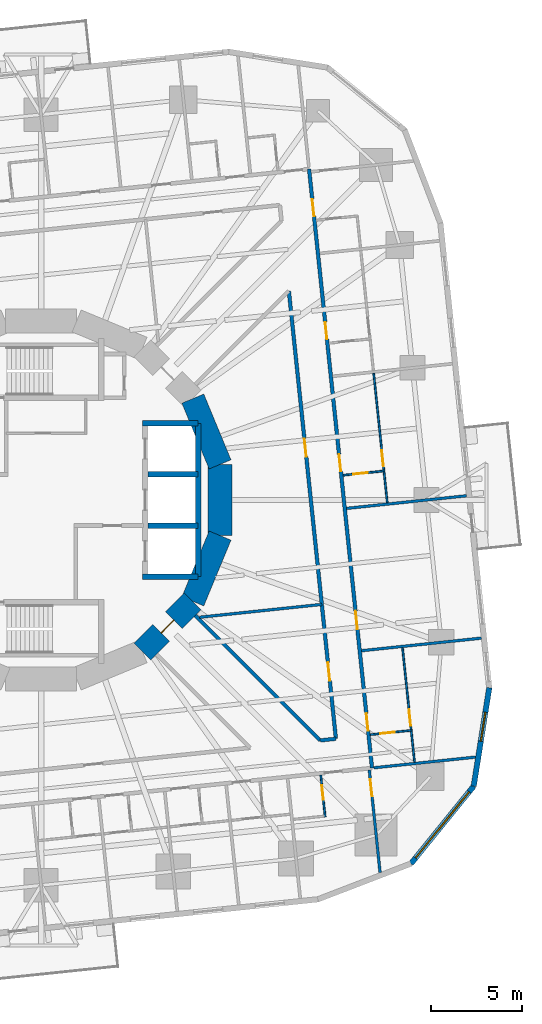
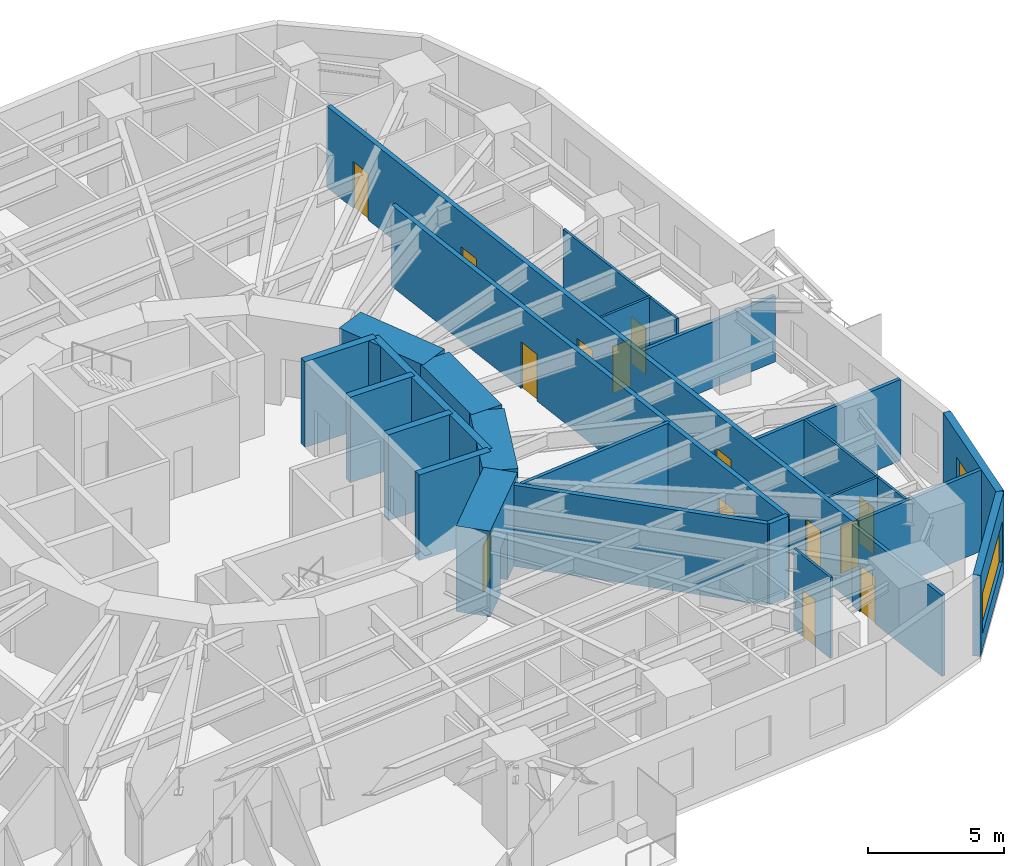
# One storey, part 8 of 13: 27 walls, 14 doors, 2 windows, 16 openings.
"""IFC4 building model written with IfcOpenShell, lengths in metres."""

from ifc_helpers import new_model, si_unit, direction, frame, frame_2d, origin, place, context, subcontext, project, spatial, rectangle, extrude, material, layer, layer_set, type_object, element, fill, save


model = new_model("IFC4")

# Units and contexts
model_context = context("Model", 3, precision=1e-05, world=origin(), true_north=direction((0.0, 1.0)))
body_context = subcontext(model_context, "Body", "Model", "MODEL_VIEW")
ifc_project = project(units=[si_unit("LENGTHUNIT", "METRE"), si_unit("AREAUNIT", "SQUARE_METRE"), si_unit("VOLUMEUNIT", "CUBIC_METRE"), si_unit("PLANEANGLEUNIT", "RADIAN"), si_unit("MASSUNIT", "GRAM", prefix="KILO")], contexts=[model_context])

# Site, building, storey
site_placement = place(None, origin())
site = spatial("IfcSite", under=ifc_project, at=site_placement, CompositionType="ELEMENT")
building_placement = place(site_placement, origin())
building = spatial("IfcBuilding", under=site, at=building_placement, Name="Nakasero Lantern House", CompositionType="ELEMENT")
storey_placement = place(building_placement, frame((0.0, 0.0, 83.60009765625)))
storey = spatial("IfcBuildingStorey", under=building, at=storey_placement, Name="L20", CompositionType="ELEMENT", Elevation=83.60009765625)

# Walls
ifc_material_1 = material(Name="Concrete C50/60", Category="concrete")
ifc_layer_1 = layer(ifc_material_1, 0.300048828125)
ifc_layer_set_1 = layer_set([ifc_layer_1], Name="Core inner wall 300")
wall_type_1 = type_object("IfcWallType", Name="Core inner wall 300", PredefinedType="SHEAR", material=ifc_layer_set_1)
for number, where, z_axis, x_axis, name in (
    (1, (5.550048828125, 4.199951171875, 0.0), (0.0, 0.0, 1.0), (1.0, 0.0, 0.0), "Core inner wall L20 LEN"),
    (2, (5.550048828125, -4.199951171875, 0.0), (0.0, 0.0, 1.0), (1.0, 0.0, 0.0), "Core inner wall L20 LES"),
):
    element("IfcWall", number, at=place(storey_placement, frame(where, z_axis=z_axis, x_axis=x_axis)), inside=storey, type_object=wall_type_1, Name=name, PredefinedType="SHEAR", context=body_context, shape_type="SweptSolid", body=[
        extrude(rectangle(XDim=3.050048828125, YDim=0.300048828125, at=frame_2d((1.52490234375, 0.0))), origin(), (0.0, 0.0, 1.0), 3.849853515625),
    ])
wall_1_placement = place(storey_placement, frame((8.60009765625, -4.199951171875, 0.0), z_axis=(0.0, 0.0, 1.0), x_axis=(0.0, 1.0, 0.0)))
element("IfcWall", 3, at=wall_1_placement, inside=storey, type_object=wall_type_1, Name="Core inner wall L20 LEB", PredefinedType="SHEAR", context=body_context, shape_type="SweptSolid", body=[
    extrude(rectangle(XDim=8.39990234375, YDim=0.300048828125, at=frame_2d((4.199951171875, 0.0))), origin(), (0.0, 0.0, 1.0), 3.849853515625),
])
for number, where, z_axis, x_axis, name in (
    (4, (5.85009765625, -1.39990234375, 0.0), (0.0, 0.0, 1.0), (1.0, 0.0, 0.0), "Core inner wall L20 LE1"),
    (5, (5.85009765625, 1.39990234375, 0.0), (0.0, 0.0, 1.0), (1.0, 0.0, 0.0), "Core inner wall L20 LE2"),
):
    element("IfcWall", number, at=place(storey_placement, frame(where, z_axis=z_axis, x_axis=x_axis)), inside=storey, type_object=wall_type_1, Name=name, PredefinedType="SHEAR", context=body_context, shape_type="SweptSolid", body=[
        extrude(rectangle(XDim=2.75, YDim=0.300048828125, at=frame_2d((1.375, 0.0))), origin(), (0.0, 0.0, 1.0), 3.849853515625),
    ])
ifc_material_2 = material(Name="Concrete C50/60", Category="concrete")
ifc_layer_2 = layer(ifc_material_2, 1.300048828125)
ifc_layer_set_2 = layer_set([ifc_layer_2], Name="Core wall 1300")
wall_type_2 = type_object("IfcWallType", Name="Core wall 1300", PredefinedType="SHEAR", material=ifc_layer_set_2)
wall_2_placement = place(storey_placement, frame((9.807861328125, 1.950927734375, 0.0), z_axis=(0.0, 0.0, 1.0), x_axis=(-0.382690736062, 0.923876507187, 0.0)))
element("IfcWall", 6, at=wall_2_placement, inside=storey, type_object=wall_type_2, Name="Core wall L20 facet 1", PredefinedType="SHEAR", context=body_context, shape_type="SweptSolid", body=[
    extrude(rectangle(XDim=3.90185546875, YDim=1.300048828125, at=frame_2d((1.950927734375, 0.0))), origin(), (0.0, 0.0, 1.0), 3.849853515625),
])

# Wall, opening, door
wall_3_placement = place(storey_placement, frame((5.5556640625, -8.314697265625, 0.0), z_axis=(0.0, 0.0, 1.0), x_axis=(0.707106781187, 0.707106781187, 0.0)))
wall_3 = element("IfcWall", 7, at=wall_3_placement, inside=storey, type_object=wall_type_2, Name="Core wall L20 facet 14", PredefinedType="SHEAR", context=body_context, shape_type="SweptSolid", body=[
    extrude(rectangle(XDim=3.90185546875, YDim=1.300048828125, at=frame_2d((1.950927734375, 0.0))), origin(), (0.0, 0.0, 1.0), 3.849853515625),
])
opening_1_placement = place(wall_3_placement, frame((1.450927734375, 0.0, 0.0)))
opening_1 = element("IfcOpeningElement", 8, at=opening_1_placement, cuts=wall_3, Name="Opening D05", PredefinedType="OPENING", context=body_context, shape_type="SweptSolid", body=[
    extrude(rectangle(XDim=1.0, YDim=2.10009765625, at=frame_2d((0.5, 1.050048828125))), frame((0.0, 0.669921875, 0.0), z_axis=(0.0, -1.0, 0.0), x_axis=(1.0, 0.0, 0.0)), (0.0, 0.0, 1.0), 1.340087890625),
])
ifc_material_3 = material(Name="Timber C24", Category="wood")
door_type_1 = type_object("IfcDoorType", Name="Core door FD60S 1000", OperationType="SINGLE_SWING_LEFT", PredefinedType="DOOR", material=ifc_material_3)
door_1_placement = place(opening_1_placement, origin())
door_1 = element("IfcDoor", 9, at=door_1_placement, inside=storey, type_object=door_type_1, Name="Door L20 D-CORE14", OperationType="SINGLE_SWING_LEFT", OverallHeight=2.10009765625, OverallWidth=1.0, PredefinedType="DOOR", context=body_context, shape_type="SweptSolid", body=[
    extrude(rectangle(XDim=1.0, YDim=2.10009765625, at=frame_2d((0.5, 1.050048828125))), frame((0.0, 0.02490234375, 0.0), z_axis=(0.0, -1.0, 0.0), x_axis=(1.0, 0.0, 0.0)), (0.0, 0.0, 1.0), 0.050048828125),
])
fill(opening_1, door_1)

# Walls
for number, where, z_axis, x_axis, name in (
    (10, (8.314697265625, -5.5556640625, 0.0), (0.0, 0.0, 1.0), (0.382690736062, 0.923876507187, 0.0), "Core wall L20 facet 15"),
    (11, (9.807861328125, -1.950927734375, 0.0), (0.0, 0.0, 1.0), (0.0, 1.0, 0.0), "Core wall L20 facet 16"),
):
    element("IfcWall", number, at=place(storey_placement, frame(where, z_axis=z_axis, x_axis=x_axis)), inside=storey, type_object=wall_type_2, Name=name, PredefinedType="SHEAR", context=body_context, shape_type="SweptSolid", body=[
        extrude(rectangle(XDim=3.90185546875, YDim=1.300048828125, at=frame_2d((1.950927734375, 0.0))), origin(), (0.0, 0.0, 1.0), 3.849853515625),
    ])

# Wall, openings, doors
ifc_material_4 = material(Name="Blockwork", Category="masonry")
ifc_layer_3 = layer(ifc_material_4, 0.199951171875)
ifc_layer_set_3 = layer_set([ifc_layer_3], Name="Corridor wall 200")
wall_type_3 = type_object("IfcWallType", Name="Corridor wall 200", PredefinedType="PARTITIONING", material=ifc_layer_set_3)
wall_4_placement = place(storey_placement, frame((18.13427734375, -14.684814453125, 0.0), z_axis=(0.0, 0.0, 1.0), x_axis=(-0.10452958258, 0.994521777723, 0.0)))
wall_4 = element("IfcWall", 12, at=wall_4_placement, inside=storey, type_object=wall_type_3, Name="Corridor wall L20 CW0", PredefinedType="PARTITIONING", context=body_context, shape_type="SweptSolid", body=[
    extrude(rectangle(XDim=32.999755859375, YDim=0.199951171875, at=frame_2d((16.5, 0.0))), origin(), (0.0, 0.0, 1.0), 3.64990234375),
])
opening_2_placement = place(wall_4_placement, frame((2.050048828125, 0.0, 0.0)))
opening_2 = element("IfcOpeningElement", 13, at=opening_2_placement, cuts=wall_4, Name="Opening D01", PredefinedType="OPENING", context=body_context, shape_type="SweptSolid", body=[
    extrude(rectangle(XDim=0.949951171875, YDim=2.10009765625, at=frame_2d((0.47509765625, 1.050048828125))), frame((0.0, 0.119873046875, 0.0), z_axis=(0.0, -1.0, 0.0), x_axis=(1.0, 0.0, 0.0)), (0.0, 0.0, 1.0), 0.239990234375),
])
opening_3_placement = place(wall_4_placement, frame((16.3427734375, 0.0, 0.0)))
opening_3 = element("IfcOpeningElement", 14, at=opening_3_placement, cuts=wall_4, Name="Opening D01", PredefinedType="OPENING", context=body_context, shape_type="SweptSolid", body=[
    extrude(rectangle(XDim=0.949951171875, YDim=2.10009765625, at=frame_2d((0.47509765625, 1.050048828125))), frame((0.0, 0.119873046875, 0.0), z_axis=(0.0, -1.0, 0.0), x_axis=(1.0, 0.0, 0.0)), (0.0, 0.0, 1.0), 0.239990234375),
])
opening_4_placement = place(wall_4_placement, frame((23.6201171875, 0.0, 0.0)))
opening_4 = element("IfcOpeningElement", 15, at=opening_4_placement, cuts=wall_4, Name="Opening D01", PredefinedType="OPENING", context=body_context, shape_type="SweptSolid", body=[
    extrude(rectangle(XDim=0.949951171875, YDim=2.10009765625, at=frame_2d((0.47509765625, 1.050048828125))), frame((0.0, 0.119873046875, 0.0), z_axis=(0.0, -1.0, 0.0), x_axis=(1.0, 0.0, 0.0)), (0.0, 0.0, 1.0), 0.239990234375),
])
opening_5_placement = place(wall_4_placement, frame((30.39111328125, 0.0, 0.0)))
opening_5 = element("IfcOpeningElement", 16, at=opening_5_placement, cuts=wall_4, Name="Opening D01", PredefinedType="OPENING", context=body_context, shape_type="SweptSolid", body=[
    extrude(rectangle(XDim=0.949951171875, YDim=2.10009765625, at=frame_2d((0.47509765625, 1.050048828125))), frame((0.0, 0.119873046875, 0.0), z_axis=(0.0, -1.0, 0.0), x_axis=(1.0, 0.0, 0.0)), (0.0, 0.0, 1.0), 0.239990234375),
])
opening_6_placement = place(wall_4_placement, frame((7.650634765625, 0.0, 0.0)))
opening_6 = element("IfcOpeningElement", 17, at=opening_6_placement, cuts=wall_4, Name="Opening D03", PredefinedType="OPENING", context=body_context, shape_type="SweptSolid", body=[
    extrude(rectangle(XDim=1.0, YDim=2.10009765625, at=frame_2d((0.5, 1.050048828125))), frame((0.0, 0.119873046875, 0.0), z_axis=(0.0, -1.0, 0.0), x_axis=(1.0, 0.0, 0.0)), (0.0, 0.0, 1.0), 0.239990234375),
])
ifc_material_5 = material(Name="Timber C24", Category="wood")
door_type_2 = type_object("IfcDoorType", Name="Bedroom door FD30S 950", OperationType="SINGLE_SWING_LEFT", PredefinedType="DOOR", material=ifc_material_5)
door_2_placement = place(opening_2_placement, origin())
door_2 = element("IfcDoor", 18, at=door_2_placement, inside=storey, type_object=door_type_2, Name="Door L20 D0-00", OperationType="SINGLE_SWING_LEFT", OverallHeight=2.10009765625, OverallWidth=0.949951171875, PredefinedType="DOOR", context=body_context, shape_type="SweptSolid", body=[
    extrude(rectangle(XDim=0.949951171875, YDim=2.10009765625, at=frame_2d((0.47509765625, 1.050048828125))), frame((0.0, 0.02490234375, 0.0), z_axis=(0.0, -1.0, 0.0), x_axis=(1.0, 0.0, 0.0)), (0.0, 0.0, 1.0), 0.050048828125),
])
fill(opening_2, door_2)
door_3_placement = place(opening_3_placement, origin())
door_3 = element("IfcDoor", 19, at=door_3_placement, inside=storey, type_object=door_type_2, Name="Door L20 D0-04", OperationType="SINGLE_SWING_RIGHT", OverallHeight=2.10009765625, OverallWidth=0.949951171875, PredefinedType="DOOR", context=body_context, shape_type="SweptSolid", body=[
    extrude(rectangle(XDim=0.949951171875, YDim=2.10009765625, at=frame_2d((0.47509765625, 1.050048828125))), frame((0.0, 0.02490234375, 0.0), z_axis=(0.0, -1.0, 0.0), x_axis=(1.0, 0.0, 0.0)), (0.0, 0.0, 1.0), 0.050048828125),
])
fill(opening_3, door_3)
door_4_placement = place(opening_4_placement, origin())
door_4 = element("IfcDoor", 20, at=door_4_placement, inside=storey, type_object=door_type_2, Name="Door L20 D0-06", OperationType="SINGLE_SWING_RIGHT", OverallHeight=2.10009765625, OverallWidth=0.949951171875, PredefinedType="DOOR", context=body_context, shape_type="SweptSolid", body=[
    extrude(rectangle(XDim=0.949951171875, YDim=2.10009765625, at=frame_2d((0.47509765625, 1.050048828125))), frame((0.0, 0.02490234375, 0.0), z_axis=(0.0, -1.0, 0.0), x_axis=(1.0, 0.0, 0.0)), (0.0, 0.0, 1.0), 0.050048828125),
])
fill(opening_4, door_4)
door_5_placement = place(opening_5_placement, origin())
door_5 = element("IfcDoor", 21, at=door_5_placement, inside=storey, type_object=door_type_2, Name="Door L20 D0-08", OperationType="SINGLE_SWING_RIGHT", OverallHeight=2.10009765625, OverallWidth=0.949951171875, PredefinedType="DOOR", context=body_context, shape_type="SweptSolid", body=[
    extrude(rectangle(XDim=0.949951171875, YDim=2.10009765625, at=frame_2d((0.47509765625, 1.050048828125))), frame((0.0, 0.02490234375, 0.0), z_axis=(0.0, -1.0, 0.0), x_axis=(1.0, 0.0, 0.0)), (0.0, 0.0, 1.0), 0.050048828125),
])
fill(opening_5, door_5)
ifc_material_6 = material(Name="Timber C24", Category="wood")
door_type_3 = type_object("IfcDoorType", Name="Lounge door FD30S 1000", OperationType="SINGLE_SWING_LEFT", PredefinedType="DOOR", material=ifc_material_6)
door_6_placement = place(opening_6_placement, origin())
door_6 = element("IfcDoor", 22, at=door_6_placement, inside=storey, type_object=door_type_3, Name="Door L20 DK0", OperationType="SINGLE_SWING_LEFT", OverallHeight=2.10009765625, OverallWidth=1.0, PredefinedType="DOOR", context=body_context, shape_type="SweptSolid", body=[
    extrude(rectangle(XDim=1.0, YDim=2.10009765625, at=frame_2d((0.5, 1.050048828125))), frame((0.0, 0.02490234375, 0.0), z_axis=(0.0, -1.0, 0.0), x_axis=(1.0, 0.0, 0.0)), (0.0, 0.0, 1.0), 0.050048828125),
])
fill(opening_6, door_6)

wall_5_placement = place(storey_placement, frame((16.156005859375, -13.0830078125, 0.0), z_axis=(0.0, 0.0, 1.0), x_axis=(-0.104528202096, 0.994521922819, 0.0)))
wall_5 = element("IfcWall", 23, at=wall_5_placement, inside=storey, type_object=wall_type_3, Name="Corridor wall L20 IW0-0", PredefinedType="PARTITIONING", context=body_context, shape_type="SweptSolid", body=[
    extrude(rectangle(XDim=24.673828125, YDim=0.199951171875, at=frame_2d((12.3369140625, 0.0))), origin(), (0.0, 0.0, 1.0), 3.64990234375),
])
opening_7_placement = place(wall_5_placement, frame((3.201171875, 0.0, 0.0)))
opening_7 = element("IfcOpeningElement", 24, at=opening_7_placement, cuts=wall_5, Name="Opening D07", PredefinedType="OPENING", context=body_context, shape_type="SweptSolid", body=[
    extrude(rectangle(XDim=1.0, YDim=2.10009765625, at=frame_2d((0.5, 1.050048828125))), frame((0.0, 0.119873046875, 0.0), z_axis=(0.0, -1.0, 0.0), x_axis=(1.0, 0.0, 0.0)), (0.0, 0.0, 1.0), 0.239990234375),
])
opening_8_placement = place(wall_5_placement, frame((15.537841796875, 0.0, 0.0)))
opening_8 = element("IfcOpeningElement", 25, at=opening_8_placement, cuts=wall_5, Name="Opening D07", PredefinedType="OPENING", context=body_context, shape_type="SweptSolid", body=[
    extrude(rectangle(XDim=1.0, YDim=2.10009765625, at=frame_2d((0.5, 1.050048828125))), frame((0.0, 0.119873046875, 0.0), z_axis=(0.0, -1.0, 0.0), x_axis=(1.0, 0.0, 0.0)), (0.0, 0.0, 1.0), 0.239990234375),
])
ifc_material_7 = material(Name="Timber C24", Category="wood")
door_type_4 = type_object("IfcDoorType", Name="Room door FD30S 1000", OperationType="SINGLE_SWING_LEFT", PredefinedType="DOOR", material=ifc_material_7)
door_7_placement = place(opening_7_placement, origin())
door_7 = element("IfcDoor", 26, at=door_7_placement, inside=storey, type_object=door_type_4, Name="Door L20 DI1", OperationType="SINGLE_SWING_LEFT", OverallHeight=2.10009765625, OverallWidth=1.0, PredefinedType="DOOR", context=body_context, shape_type="SweptSolid", body=[
    extrude(rectangle(XDim=1.0, YDim=2.10009765625, at=frame_2d((0.5, 1.050048828125))), frame((0.0, 0.02490234375, 0.0), z_axis=(0.0, -1.0, 0.0), x_axis=(1.0, 0.0, 0.0)), (0.0, 0.0, 1.0), 0.050048828125),
])
fill(opening_7, door_7)
door_8_placement = place(opening_8_placement, origin())
door_8 = element("IfcDoor", 27, at=door_8_placement, inside=storey, type_object=door_type_4, Name="Door L20 DI1S", OperationType="SINGLE_SWING_RIGHT", OverallHeight=2.10009765625, OverallWidth=1.0, PredefinedType="DOOR", context=body_context, shape_type="SweptSolid", body=[
    extrude(rectangle(XDim=1.0, YDim=2.10009765625, at=frame_2d((0.5, 1.050048828125))), frame((0.0, 0.02490234375, 0.0), z_axis=(0.0, -1.0, 0.0), x_axis=(1.0, 0.0, 0.0)), (0.0, 0.0, 1.0), 0.050048828125),
])
fill(opening_8, door_8)

# Walls
wall_6_placement = place(storey_placement, frame((8.45556640625, -6.334228515625, 0.0), z_axis=(0.0, 0.0, 1.0), x_axis=(0.707106781187, -0.707106781187, 0.0)))
element("IfcWall", 28, at=wall_6_placement, inside=storey, type_object=wall_type_3, Name="Corridor wall L20 PS14a", PredefinedType="PARTITIONING", context=body_context, shape_type="SweptSolid", body=[
    extrude(rectangle(XDim=9.671875, YDim=0.199951171875, at=frame_2d((4.8359375, 0.0))), origin(), (0.0, 0.0, 1.0), 3.64990234375),
])
wall_7_placement = place(storey_placement, frame((16.156005859375, -13.0830078125, 0.0), z_axis=(0.0, 0.0, 1.0), x_axis=(-0.994545540927, -0.104303245505, 0.0)))
element("IfcWall", 29, at=wall_7_placement, inside=storey, type_object=wall_type_3, Name="Corridor wall L20 IW0-0R0", PredefinedType="PARTITIONING", context=body_context, shape_type="SweptSolid", body=[
    extrude(rectangle(XDim=0.865966796875, YDim=0.199951171875, at=frame_2d((0.43310546875, 0.0))), origin(), (0.0, 0.0, 1.0), 3.64990234375),
])

# Wall, opening, door
ifc_material_8 = material(Name="Blockwork", Category="masonry")
ifc_layer_4 = layer(ifc_material_8, 0.10009765625)
ifc_layer_set_4 = layer_set([ifc_layer_4], Name="En-suite wall 100")
wall_type_4 = type_object("IfcWallType", Name="En-suite wall 100", PredefinedType="PARTITIONING", material=ifc_layer_set_4)
wall_8_placement = place(storey_placement, frame((18.04296875, -12.859375, 0.0), z_axis=(0.0, 0.0, 1.0), x_axis=(0.994529855142, 0.104452703326, 0.0)))
wall_8 = element("IfcWall", 30, at=wall_8_placement, inside=storey, type_object=wall_type_4, Name="En-suite wall L20 ES0-00", PredefinedType="PARTITIONING", context=body_context, shape_type="SweptSolid", body=[
    extrude(rectangle(XDim=2.300048828125, YDim=0.10009765625, at=frame_2d((1.14990234375, 0.0))), origin(), (0.0, 0.0, 1.0), 3.64990234375),
])
opening_9_placement = place(wall_8_placement, frame((0.550048828125, 0.0, 0.0)))
opening_9 = element("IfcOpeningElement", 31, at=opening_9_placement, cuts=wall_8, Name="Opening D02", PredefinedType="OPENING", context=body_context, shape_type="SweptSolid", body=[
    extrude(rectangle(XDim=0.800048828125, YDim=2.10009765625, at=frame_2d((0.39990234375, 1.050048828125))), frame((0.0, 0.070068359375, 0.0), z_axis=(0.0, -1.0, 0.0), x_axis=(1.0, 0.0, 0.0)), (0.0, 0.0, 1.0), 0.14013671875),
])
ifc_material_9 = material(Name="Timber C24", Category="wood")
door_type_5 = type_object("IfcDoorType", Name="En-suite door 800", OperationType="SINGLE_SWING_RIGHT", PredefinedType="DOOR", material=ifc_material_9)
door_9_placement = place(opening_9_placement, origin())
door_9 = element("IfcDoor", 32, at=door_9_placement, inside=storey, type_object=door_type_5, Name="Door L20 DE0-00", OperationType="SINGLE_SWING_LEFT", OverallHeight=2.10009765625, OverallWidth=0.800048828125, PredefinedType="DOOR", context=body_context, shape_type="SweptSolid", body=[
    extrude(rectangle(XDim=0.800048828125, YDim=2.10009765625, at=frame_2d((0.39990234375, 1.050048828125))), frame((0.0, 0.02490234375, 0.0), z_axis=(0.0, -1.0, 0.0), x_axis=(1.0, 0.0, 0.0)), (0.0, 0.0, 1.0), 0.050048828125),
])
fill(opening_9, door_9)

# Wall
wall_9_placement = place(storey_placement, frame((20.463623046875, -14.36474609375, 0.0), z_axis=(0.0, 0.0, 1.0), x_axis=(-0.104550220202, 0.994519608382, 0.0)))
element("IfcWall", 33, at=wall_9_placement, inside=storey, type_object=wall_type_4, Name="En-suite wall L20 EE0-00", PredefinedType="PARTITIONING", context=body_context, shape_type="SweptSolid", body=[
    extrude(rectangle(XDim=1.699951171875, YDim=0.10009765625, at=frame_2d((0.85009765625, 0.0))), origin(), (0.0, 0.0, 1.0), 3.64990234375),
])

# Wall, opening, door
wall_10_placement = place(storey_placement, frame((16.549072265625, 1.35498046875, 0.0), z_axis=(0.0, 0.0, 1.0), x_axis=(0.994518822602, 0.104557694553, 0.0)))
wall_10 = element("IfcWall", 34, at=wall_10_placement, inside=storey, type_object=wall_type_4, Name="En-suite wall L20 ES0-04", PredefinedType="PARTITIONING", context=body_context, shape_type="SweptSolid", body=[
    extrude(rectangle(XDim=2.300048828125, YDim=0.10009765625, at=frame_2d((1.14990234375, 0.0))), origin(), (0.0, 0.0, 1.0), 3.64990234375),
])
opening_10_placement = place(wall_10_placement, frame((0.550048828125, 0.0, 0.0)))
opening_10 = element("IfcOpeningElement", 35, at=opening_10_placement, cuts=wall_10, Name="Opening D02", PredefinedType="OPENING", context=body_context, shape_type="SweptSolid", body=[
    extrude(rectangle(XDim=0.800048828125, YDim=2.10009765625, at=frame_2d((0.39990234375, 1.050048828125))), frame((0.0, 0.070068359375, 0.0), z_axis=(0.0, -1.0, 0.0), x_axis=(1.0, 0.0, 0.0)), (0.0, 0.0, 1.0), 0.14013671875),
])
door_10_placement = place(opening_10_placement, origin())
door_10 = element("IfcDoor", 36, at=door_10_placement, inside=storey, type_object=door_type_5, Name="Door L20 DE0-04", OperationType="SINGLE_SWING_LEFT", OverallHeight=2.10009765625, OverallWidth=0.800048828125, PredefinedType="DOOR", context=body_context, shape_type="SweptSolid", body=[
    extrude(rectangle(XDim=0.800048828125, YDim=2.10009765625, at=frame_2d((0.39990234375, 1.050048828125))), frame((0.0, 0.02490234375, 0.0), z_axis=(0.0, -1.0, 0.0), x_axis=(1.0, 0.0, 0.0)), (0.0, 0.0, 1.0), 0.050048828125),
])
fill(opening_10, door_10)

# Wall
wall_11_placement = place(storey_placement, frame((18.9697265625, -0.150146484375, 0.0), z_axis=(0.0, 0.0, 1.0), x_axis=(-0.104550220202, 0.994519608382, 0.0)))
element("IfcWall", 37, at=wall_11_placement, inside=storey, type_object=wall_type_4, Name="En-suite wall L20 EE0-04", PredefinedType="PARTITIONING", context=body_context, shape_type="SweptSolid", body=[
    extrude(rectangle(XDim=1.699951171875, YDim=0.10009765625, at=frame_2d((0.85009765625, 0.0))), origin(), (0.0, 0.0, 1.0), 3.64990234375),
])

# Wall, opening, door
wall_12_placement = place(storey_placement, frame((15.326416015625, -15.08056640625, 0.0), z_axis=(0.0, 0.0, 1.0), x_axis=(0.104557694553, -0.994518822602, 0.0)))
wall_12 = element("IfcWall", 38, at=wall_12_placement, inside=storey, type_object=wall_type_4, Name="En-suite wall L20 ES3-08", PredefinedType="PARTITIONING", context=body_context, shape_type="SweptSolid", body=[
    extrude(rectangle(XDim=2.300048828125, YDim=0.10009765625, at=frame_2d((1.14990234375, 0.0))), origin(), (0.0, 0.0, 1.0), 3.64990234375),
])
opening_11_placement = place(wall_12_placement, frame((0.550048828125, 0.0, 0.0)))
opening_11 = element("IfcOpeningElement", 39, at=opening_11_placement, cuts=wall_12, Name="Opening D02", PredefinedType="OPENING", context=body_context, shape_type="SweptSolid", body=[
    extrude(rectangle(XDim=0.800048828125, YDim=2.10009765625, at=frame_2d((0.39990234375, 1.050048828125))), frame((0.0, 0.070068359375, 0.0), z_axis=(0.0, -1.0, 0.0), x_axis=(1.0, 0.0, 0.0)), (0.0, 0.0, 1.0), 0.14013671875),
])
door_11_placement = place(opening_11_placement, origin())
door_11 = element("IfcDoor", 40, at=door_11_placement, inside=storey, type_object=door_type_5, Name="Door L20 DE3-08", OperationType="SINGLE_SWING_LEFT", OverallHeight=2.10009765625, OverallWidth=0.800048828125, PredefinedType="DOOR", context=body_context, shape_type="SweptSolid", body=[
    extrude(rectangle(XDim=0.800048828125, YDim=2.10009765625, at=frame_2d((0.39990234375, 1.050048828125))), frame((0.0, 0.02490234375, 0.0), z_axis=(0.0, -1.0, 0.0), x_axis=(1.0, 0.0, 0.0)), (0.0, 0.0, 1.0), 0.050048828125),
])
fill(opening_11, door_11)

wall_13_placement = place(storey_placement, frame((20.275390625, -12.574462890625, 0.0), z_axis=(0.0, 0.0, 1.0), x_axis=(-0.104535119414, 0.994521195757, 0.0)))
wall_13 = element("IfcWall", 41, at=wall_13_placement, inside=storey, type_object=wall_type_4, Name="En-suite wall L20 EL0-00", PredefinedType="PARTITIONING", context=body_context, shape_type="SweptSolid", body=[
    extrude(rectangle(XDim=4.50048828125, YDim=0.10009765625, at=frame_2d((2.250244140625, 0.0))), origin(), (0.0, 0.0, 1.0), 3.64990234375),
])
opening_12_placement = place(wall_13_placement, frame((0.199951171875, 0.0, 0.0)))
opening_12 = element("IfcOpeningElement", 42, at=opening_12_placement, cuts=wall_13, Name="Opening D17", PredefinedType="OPENING", context=body_context, shape_type="SweptSolid", body=[
    extrude(rectangle(XDim=0.89990234375, YDim=2.10009765625, at=frame_2d((0.449951171875, 1.050048828125))), frame((0.0, 0.070068359375, 0.0), z_axis=(0.0, -1.0, 0.0), x_axis=(1.0, 0.0, 0.0)), (0.0, 0.0, 1.0), 0.14013671875),
])
ifc_material_10 = material(Name="Timber C24", Category="wood")
door_type_6 = type_object("IfcDoorType", Name="Bedroom door FD30S 900", OperationType="SINGLE_SWING_LEFT", PredefinedType="DOOR", material=ifc_material_10)
door_12_placement = place(opening_12_placement, origin())
door_12 = element("IfcDoor", 43, at=door_12_placement, inside=storey, type_object=door_type_6, Name="Door L20 DL0-00", OperationType="SINGLE_SWING_LEFT", OverallHeight=2.10009765625, OverallWidth=0.89990234375, PredefinedType="DOOR", context=body_context, shape_type="SweptSolid", body=[
    extrude(rectangle(XDim=0.89990234375, YDim=2.10009765625, at=frame_2d((0.449951171875, 1.050048828125))), frame((0.0, 0.02490234375, 0.0), z_axis=(0.0, -1.0, 0.0), x_axis=(1.0, 0.0, 0.0)), (0.0, 0.0, 1.0), 0.050048828125),
])
fill(opening_12, door_12)

wall_14_placement = place(storey_placement, frame((18.781494140625, 1.639892578125, 0.0), z_axis=(0.0, 0.0, 1.0), x_axis=(-0.10453449141, 0.994521261767, 0.0)))
wall_14 = element("IfcWall", 44, at=wall_14_placement, inside=storey, type_object=wall_type_4, Name="En-suite wall L20 EL0-04", PredefinedType="PARTITIONING", context=body_context, shape_type="SweptSolid", body=[
    extrude(rectangle(XDim=5.327392578125, YDim=0.10009765625, at=frame_2d((2.66357421875, 0.0))), origin(), (0.0, 0.0, 1.0), 3.64990234375),
])
opening_13_placement = place(wall_14_placement, frame((0.199951171875, 0.0, 0.0)))
opening_13 = element("IfcOpeningElement", 45, at=opening_13_placement, cuts=wall_14, Name="Opening D17", PredefinedType="OPENING", context=body_context, shape_type="SweptSolid", body=[
    extrude(rectangle(XDim=0.89990234375, YDim=2.10009765625, at=frame_2d((0.449951171875, 1.050048828125))), frame((0.0, 0.070068359375, 0.0), z_axis=(0.0, -1.0, 0.0), x_axis=(1.0, 0.0, 0.0)), (0.0, 0.0, 1.0), 0.14013671875),
])
door_13_placement = place(opening_13_placement, origin())
door_13 = element("IfcDoor", 46, at=door_13_placement, inside=storey, type_object=door_type_6, Name="Door L20 DL0-04", OperationType="SINGLE_SWING_LEFT", OverallHeight=2.10009765625, OverallWidth=0.89990234375, PredefinedType="DOOR", context=body_context, shape_type="SweptSolid", body=[
    extrude(rectangle(XDim=0.89990234375, YDim=2.10009765625, at=frame_2d((0.449951171875, 1.050048828125))), frame((0.0, 0.02490234375, 0.0), z_axis=(0.0, -1.0, 0.0), x_axis=(1.0, 0.0, 0.0)), (0.0, 0.0, 1.0), 0.050048828125),
])
fill(opening_13, door_13)

# Wall, opening, window
ifc_material_11 = material(Name="Aluminium rainscreen on blockwork", Category="masonry")
ifc_layer_5 = layer(ifc_material_11, 0.300048828125)
ifc_layer_set_5 = layer_set([ifc_layer_5], Name="Facade wall 300")
wall_type_5 = type_object("IfcWallType", Name="Facade wall 300", PredefinedType="SOLIDWALL", material=ifc_layer_set_5)
wall_15_placement = place(storey_placement, frame((20.26904296875, -19.927001953125, 0.0), z_axis=(0.0, 0.0, 1.0), x_axis=(0.629334543442, 0.777134500863, 0.0)))
wall_15 = element("IfcWall", 47, at=wall_15_placement, inside=storey, type_object=wall_type_5, Name="Facade wall L20 FW3C2", PredefinedType="SOLIDWALL", context=body_context, shape_type="SweptSolid", body=[
    extrude(rectangle(XDim=5.4609375, YDim=0.300048828125, at=frame_2d((2.73046875, 0.0))), origin(), (0.0, 0.0, 1.0), 3.64990234375),
])
opening_14_placement = place(wall_15_placement, frame((0.39990234375, 0.0, 0.75)))
opening_14 = element("IfcOpeningElement", 48, at=opening_14_placement, cuts=wall_15, Name="Opening W246", PredefinedType="OPENING", context=body_context, shape_type="SweptSolid", body=[
    extrude(rectangle(XDim=4.660888671875, YDim=1.800048828125, at=frame_2d((2.33056640625, 0.89990234375))), frame((0.0, 0.169921875, 0.0), z_axis=(0.0, -1.0, 0.0), x_axis=(1.0, 0.0, 0.0)), (0.0, 0.0, 1.0), 0.340087890625),
])
ifc_material_12 = material(Name="Aluminium 6063-T6 and glass", Category="aluminium")
window_type_1 = type_object("IfcWindowType", Name="Corner window 4661x1800", PartitioningType="SINGLE_PANEL", PredefinedType="WINDOW", material=ifc_material_12)
window_1_placement = place(opening_14_placement, origin())
window_1 = element("IfcWindow", 49, at=window_1_placement, inside=storey, type_object=window_type_1, Name="Window L20 WC3", OverallHeight=1.800048828125, OverallWidth=4.660888671875, PartitioningType="SINGLE_PANEL", PredefinedType="WINDOW", context=body_context, shape_type="SweptSolid", body=[
    extrude(rectangle(XDim=4.660888671875, YDim=1.800048828125, at=frame_2d((2.33056640625, 0.89990234375))), frame((0.0, 0.030029296875, 0.0), z_axis=(0.0, -1.0, 0.0), x_axis=(1.0, 0.0, 0.0)), (0.0, 0.0, 1.0), 0.06005859375),
])
fill(opening_14, window_1)

wall_16_placement = place(storey_placement, frame((23.705810546875, -15.68310546875, 0.0), z_axis=(0.0, 0.0, 1.0), x_axis=(0.156419383601, 0.987690729142, 0.0)))
wall_16 = element("IfcWall", 50, at=wall_16_placement, inside=storey, type_object=wall_type_5, Name="Facade wall L20 FW3C3", PredefinedType="SOLIDWALL", context=body_context, shape_type="SweptSolid", body=[
    extrude(rectangle(XDim=5.461181640625, YDim=0.300048828125, at=frame_2d((2.73046875, 0.0))), origin(), (0.0, 0.0, 1.0), 3.64990234375),
])
opening_15_placement = place(wall_16_placement, frame((2.5, 0.0, 0.75)))
opening_15 = element("IfcOpeningElement", 51, at=opening_15_placement, cuts=wall_16, Name="Opening W01", PredefinedType="OPENING", context=body_context, shape_type="SweptSolid", body=[
    extrude(rectangle(XDim=1.60009765625, YDim=1.800048828125, at=frame_2d((0.800048828125, 0.89990234375))), frame((0.0, 0.169921875, 0.0), z_axis=(0.0, -1.0, 0.0), x_axis=(1.0, 0.0, 0.0)), (0.0, 0.0, 1.0), 0.340087890625),
])
ifc_material_13 = material(Name="Aluminium 6063-T6 and glass", Category="aluminium")
window_type_2 = type_object("IfcWindowType", Name="Bedroom window 1600x1800", PartitioningType="SINGLE_PANEL", PredefinedType="WINDOW", material=ifc_material_13)
window_2_placement = place(opening_15_placement, origin())
window_2 = element("IfcWindow", 52, at=window_2_placement, inside=storey, type_object=window_type_2, Name="Window L20 WN0-00", OverallHeight=1.800048828125, OverallWidth=1.60009765625, PartitioningType="SINGLE_PANEL", PredefinedType="WINDOW", context=body_context, shape_type="SweptSolid", body=[
    extrude(rectangle(XDim=1.60009765625, YDim=1.800048828125, at=frame_2d((0.800048828125, 0.89990234375))), frame((0.0, 0.030029296875, 0.0), z_axis=(0.0, -1.0, 0.0), x_axis=(1.0, 0.0, 0.0)), (0.0, 0.0, 1.0), 0.06005859375),
])
fill(opening_15, window_2)

# Walls
ifc_material_14 = material(Name="Blockwork", Category="masonry")
ifc_layer_6 = layer(ifc_material_14, 0.14990234375)
ifc_layer_set_6 = layer_set([ifc_layer_6], Name="Party wall 150")
wall_type_6 = type_object("IfcWallType", Name="Party wall 150", PredefinedType="PARTITIONING", material=ifc_layer_set_6)
wall_17_placement = place(storey_placement, frame((18.23388671875, -14.674560546875, 0.0), z_axis=(0.0, 0.0, 1.0), x_axis=(0.994520498284, 0.104541754786, 0.0)))
element("IfcWall", 53, at=wall_17_placement, inside=storey, type_object=wall_type_6, Name="Party wall L20 PW0-00", PredefinedType="PARTITIONING", context=body_context, shape_type="SweptSolid", body=[
    extrude(rectangle(XDim=5.597900390625, YDim=0.14990234375, at=frame_2d((2.798828125, 0.0))), origin(), (0.0, 0.0, 1.0), 3.64990234375),
])
wall_18_placement = place(storey_placement, frame((17.5595703125, -8.25927734375, 0.0), z_axis=(0.0, 0.0, 1.0), x_axis=(0.994520846901, 0.104538438287, 0.0)))
element("IfcWall", 54, at=wall_18_placement, inside=storey, type_object=wall_type_6, Name="Party wall L20 PW0-02", PredefinedType="PARTITIONING", context=body_context, shape_type="SweptSolid", body=[
    extrude(rectangle(XDim=6.599853515625, YDim=0.14990234375, at=frame_2d((3.2998046875, 0.0))), origin(), (0.0, 0.0, 1.0), 3.64990234375),
])
wall_19_placement = place(storey_placement, frame((16.73974609375, -0.4599609375, 0.0), z_axis=(0.0, 0.0, 1.0), x_axis=(0.994521251134, 0.104534592565, 0.0)))
element("IfcWall", 55, at=wall_19_placement, inside=storey, type_object=wall_type_6, Name="Party wall L20 PW0-04", PredefinedType="PARTITIONING", context=body_context, shape_type="SweptSolid", body=[
    extrude(rectangle(XDim=6.60009765625, YDim=0.14990234375, at=frame_2d((3.300048828125, 0.0))), origin(), (0.0, 0.0, 1.0), 2.96630859375),
])

# Wall, opening, door
wall_20_placement = place(storey_placement, frame((17.9853515625, -14.801025390625, 0.0), z_axis=(0.0, 0.0, 1.0), x_axis=(0.104520320471, -0.994522751177, 0.0)))
wall_20 = element("IfcWall", 56, at=wall_20_placement, inside=storey, type_object=wall_type_6, Name="Party wall L20 PC3", PredefinedType="PARTITIONING", context=body_context, shape_type="SweptSolid", body=[
    extrude(rectangle(XDim=5.64111328125, YDim=0.14990234375, at=frame_2d((2.820556640625, 0.0))), origin(), (0.0, 0.0, 1.0), 3.64990234375),
])
opening_16_placement = place(wall_20_placement, frame((0.5, 0.0, 0.0)))
opening_16 = element("IfcOpeningElement", 57, at=opening_16_placement, cuts=wall_20, Name="Opening D01", PredefinedType="OPENING", context=body_context, shape_type="SweptSolid", body=[
    extrude(rectangle(XDim=0.949951171875, YDim=2.10009765625, at=frame_2d((0.47509765625, 1.050048828125))), frame((0.0, 0.094970703125, 0.0), z_axis=(0.0, -1.0, 0.0), x_axis=(1.0, 0.0, 0.0)), (0.0, 0.0, 1.0), 0.18994140625),
])
door_14_placement = place(opening_16_placement, origin())
door_14 = element("IfcDoor", 58, at=door_14_placement, inside=storey, type_object=door_type_2, Name="Door L20 DC3", OperationType="SINGLE_SWING_LEFT", OverallHeight=2.10009765625, OverallWidth=0.949951171875, PredefinedType="DOOR", context=body_context, shape_type="SweptSolid", body=[
    extrude(rectangle(XDim=0.949951171875, YDim=2.10009765625, at=frame_2d((0.47509765625, 1.050048828125))), frame((0.0, 0.02490234375, 0.0), z_axis=(0.0, -1.0, 0.0), x_axis=(1.0, 0.0, 0.0)), (0.0, 0.0, 1.0), 0.050048828125),
])
fill(opening_16, door_14)

# Wall
wall_21_placement = place(storey_placement, frame((8.687744140625, -6.425048828125, 0.0), z_axis=(0.0, 0.0, 1.0), x_axis=(0.994522133784, 0.104526194871, 0.0)))
element("IfcWall", 59, at=wall_21_placement, inside=storey, type_object=wall_type_6, Name="Party wall L20 IS1", PredefinedType="PARTITIONING", context=body_context, shape_type="SweptSolid", body=[
    extrude(rectangle(XDim=6.7314453125, YDim=0.14990234375, at=frame_2d((3.36572265625, 0.0))), origin(), (0.0, 0.0, 1.0), 3.64990234375),
])

save(model, "model.ifc")
